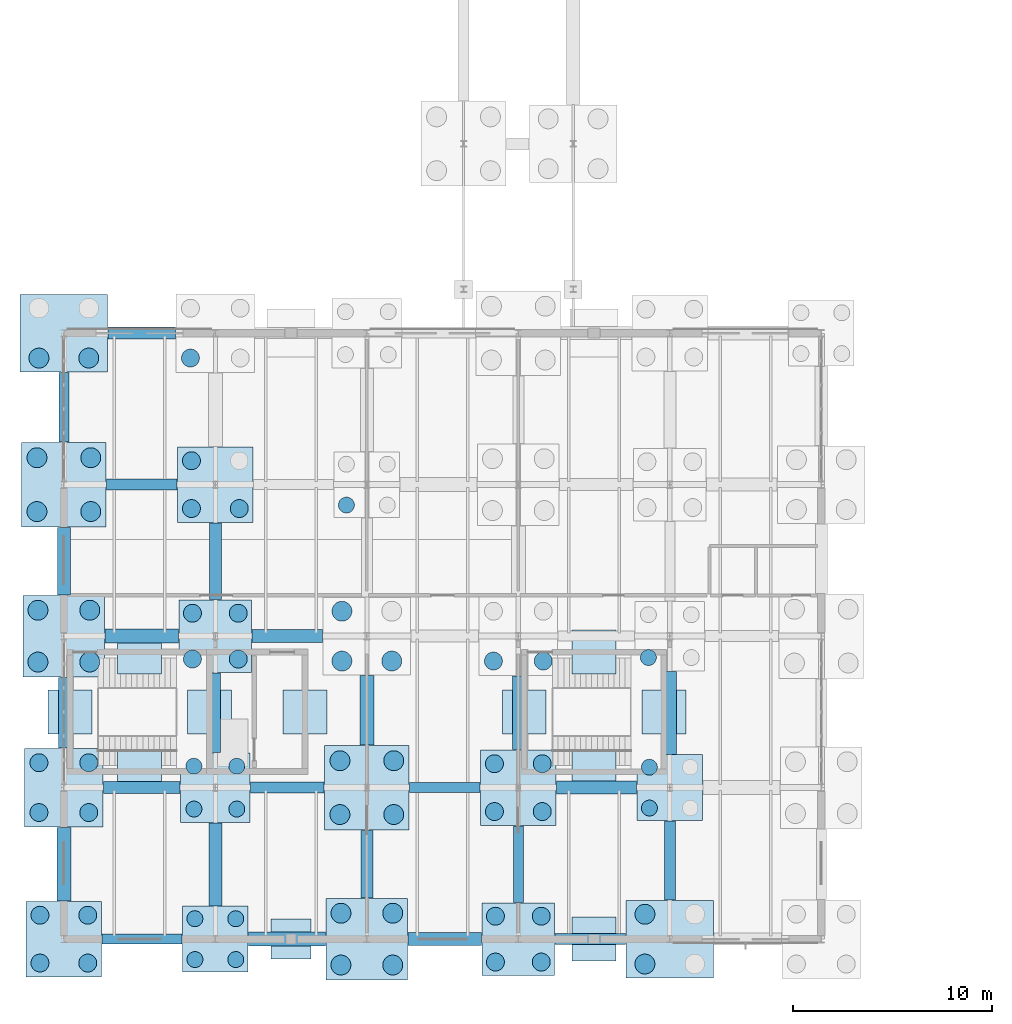
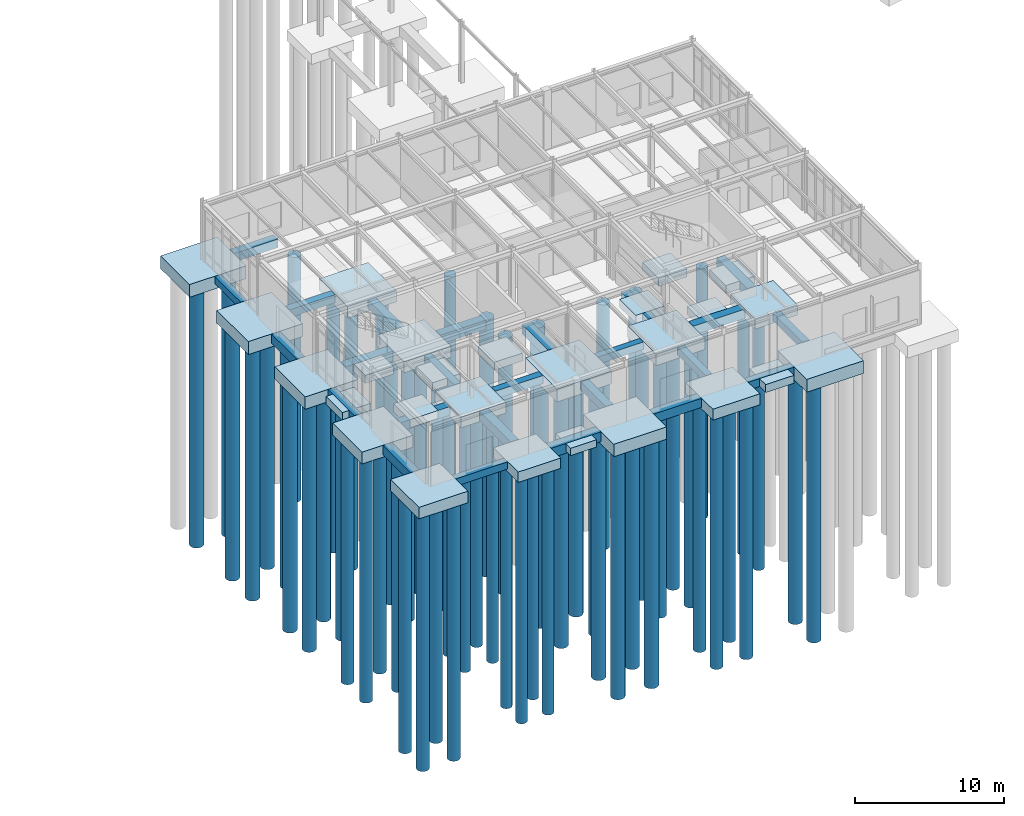
# One storey, part 1 of 109: 61 piles, 51 footings.
"""IFC4 building model written with IfcOpenShell, lengths in metres."""

from ifc_helpers import new_model, si_unit, direction, frame, origin, origin_2d, place, context, subcontext, project, spatial, rectangle, circle, extrude, material, material_profile, profile_set, type_object, element, save


model = new_model("IFC4")

# Units and contexts
model_context = context("Model", 3, precision=1e-05, world=origin(), true_north=direction((0.0, 1.0)))
body_context = subcontext(model_context, "Body", "Model", "MODEL_VIEW")
ifc_project = project(units=[si_unit("LENGTHUNIT", "METRE"), si_unit("AREAUNIT", "SQUARE_METRE"), si_unit("VOLUMEUNIT", "CUBIC_METRE"), si_unit("PLANEANGLEUNIT", "RADIAN"), si_unit("MASSUNIT", "GRAM", prefix="KILO")], contexts=[model_context])

# Site, building, storey
site_placement = place(None, origin())
site = spatial("IfcSite", under=ifc_project, at=site_placement, CompositionType="ELEMENT")
building_placement = place(site_placement, origin())
building = spatial("IfcBuilding", under=site, at=building_placement, Name="Montecoro Central Library", CompositionType="ELEMENT")
storey_placement = place(building_placement, origin())
storey = spatial("IfcBuildingStorey", under=building, at=storey_placement, Name="L00", CompositionType="ELEMENT", Elevation=0.0)

# Footings
ifc_material = material(Name="Concrete C35/45", Category="concrete")
footing_type_1 = type_object("IfcFootingType", Name="FT-PAD-200", PredefinedType="PAD_FOOTING", material=ifc_material)
footing_1_placement = place(storey_placement, frame((16.39990234375, 5.0, -0.60009765625), z_axis=(0.0, 0.0, 1.0), x_axis=(1.0, 0.0, 0.0)))
element("IfcFooting", 1, at=footing_1_placement, inside=storey, type_object=footing_type_1, Name="V3-PAD-PIL-S1", PredefinedType="PAD_FOOTING", context=body_context, shape_type="SweptSolid", body=[
    extrude(rectangle(XDim=2.0, YDim=2.0, at=origin_2d()), origin(), (0.0, 0.0, 1.0), 0.60009765625),
])
footing_type_2 = type_object("IfcFootingType", Name="FT-PAD-220", PredefinedType="PAD_FOOTING", material=ifc_material)
for number, where, z_axis, x_axis, name in (
    (2, (31.60009765625, 5.0, -0.64990234375), (0.0, 0.0, 1.0), (1.0, 0.0, 0.0), "V3-PAD-PIL-S3"),
    (3, (8.800048828125, 13.39990234375, -0.64990234375), (0.0, 0.0, 1.0), (1.0, 0.0, 0.0), "FT-WALL-C4-WS"),
    (4, (8.800048828125, 19.39990234375, -0.64990234375), (0.0, 0.0, 1.0), (1.0, 0.0, 0.0), "FT-WALL-C4-WN"),
    (5, (5.300048828125, 16.39990234375, -0.64990234375), (0.0, 0.0, 1.0), (1.0, 0.0, 0.0), "FT-WALL-C4-WW"),
    (6, (12.300048828125, 16.39990234375, -0.64990234375), (0.0, 0.0, 1.0), (1.0, 0.0, 0.0), "FT-WALL-C4-WE"),
    (7, (17.10009765625, 16.39990234375, -0.64990234375), (0.0, 0.0, 1.0), (1.0, 0.0, 0.0), "FT-WALL-C4-LWE"),
    (8, (31.60009765625, 13.39990234375, -0.64990234375), (0.0, 0.0, 1.0), (1.0, 0.0, 0.0), "FT-WALL-C11-WS"),
    (9, (31.60009765625, 19.39990234375, -0.64990234375), (0.0, 0.0, 1.0), (1.0, 0.0, 0.0), "FT-WALL-C11-WN"),
    (10, (28.10009765625, 16.39990234375, -0.64990234375), (0.0, 0.0, 1.0), (1.0, 0.0, 0.0), "FT-WALL-C11-WW"),
    (11, (35.10009765625, 16.39990234375, -0.64990234375), (0.0, 0.0, 1.0), (1.0, 0.0, 0.0), "FT-WALL-C11-WE"),
):
    element("IfcFooting", number, at=place(storey_placement, frame(where, z_axis=z_axis, x_axis=x_axis)), inside=storey, type_object=footing_type_2, Name=name, PredefinedType="PAD_FOOTING", context=body_context, shape_type="SweptSolid", body=[
        extrude(rectangle(XDim=2.199951171875, YDim=2.199951171875, at=origin_2d()), origin(), (0.0, 0.0, 1.0), 0.64990234375),
    ])
footing_type_3 = type_object("IfcFootingType", Name="FT-PC-330", PredefinedType="PILE_CAP", material=ifc_material)
for number, where, z_axis, x_axis, name in (
    (12, (12.60009765625, 5.0, -0.85009765625), (0.0, 0.0, 1.0), (1.0, 0.0, 0.0), "V3-CAP-2-A"),
    (13, (35.39990234375, 12.60009765625, -0.85009765625), (0.0, 0.0, 1.0), (1.0, 0.0, 0.0), "V3-CAP-5-B"),
):
    element("IfcFooting", number, at=place(storey_placement, frame(where, z_axis=z_axis, x_axis=x_axis)), inside=storey, type_object=footing_type_3, Name=name, PredefinedType="PILE_CAP", context=body_context, shape_type="SweptSolid", body=[
        extrude(rectangle(XDim=3.300048828125, YDim=3.300048828125, at=origin_2d()), origin(), (0.0, 0.0, 1.0), 0.85009765625),
    ])
footing_type_4 = type_object("IfcFootingType", Name="FT-PC-350", PredefinedType="PILE_CAP", material=ifc_material)
footing_2_placement = place(storey_placement, frame((12.60009765625, 12.60009765625, -0.8798828125), z_axis=(0.0, 0.0, 1.0), x_axis=(1.0, 0.0, 0.0)))
element("IfcFooting", 14, at=footing_2_placement, inside=storey, type_object=footing_type_4, Name="V3-CAP-2-B", PredefinedType="PILE_CAP", context=body_context, shape_type="SweptSolid", body=[
    extrude(rectangle(XDim=3.5, YDim=3.5, at=origin_2d()), origin(), (0.0, 0.0, 1.0), 0.8798828125),
])
footing_type_5 = type_object("IfcFootingType", Name="FT-PC-365", PredefinedType="PILE_CAP", material=ifc_material)
for number, where, z_axis, x_axis, name in (
    (15, (12.60009765625, 20.199951171875, -0.89990234375), (0.0, 0.0, 1.0), (1.0, 0.0, 0.0), "V3-CAP-2-C"),
    (16, (27.800048828125, 5.0, -0.89990234375), (0.0, 0.0, 1.0), (1.0, 0.0, 0.0), "V3-CAP-4-A"),
):
    element("IfcFooting", number, at=place(storey_placement, frame(where, z_axis=z_axis, x_axis=x_axis)), inside=storey, type_object=footing_type_5, Name=name, PredefinedType="PILE_CAP", context=body_context, shape_type="SweptSolid", body=[
        extrude(rectangle(XDim=3.64990234375, YDim=3.64990234375, at=origin_2d()), origin(), (0.0, 0.0, 1.0), 0.89990234375),
    ])
footing_type_6 = type_object("IfcFootingType", Name="FT-PC-380", PredefinedType="PILE_CAP", material=ifc_material)
for number, where, z_axis, x_axis, name in (
    (17, (5.0, 5.0, -0.9501953125), (0.0, 0.0, 1.0), (1.0, 0.0, 0.0), "V3-CAP-1-A"),
    (18, (12.60009765625, 27.800048828125, -0.9501953125), (0.0, 0.0, 1.0), (1.0, 0.0, 0.0), "V3-CAP-2-D"),
    (19, (27.800048828125, 12.60009765625, -0.9501953125), (0.0, 0.0, 1.0), (1.0, 0.0, 0.0), "V3-CAP-4-B"),
):
    element("IfcFooting", number, at=place(storey_placement, frame(where, z_axis=z_axis, x_axis=x_axis)), inside=storey, type_object=footing_type_6, Name=name, PredefinedType="PILE_CAP", context=body_context, shape_type="SweptSolid", body=[
        extrude(rectangle(XDim=3.800048828125, YDim=3.800048828125, at=origin_2d()), origin(), (0.0, 0.0, 1.0), 0.949951171875),
    ])
footing_type_7 = type_object("IfcFootingType", Name="FT-PC-395", PredefinedType="PILE_CAP", material=ifc_material)
footing_3_placement = place(storey_placement, frame((5.0, 12.60009765625, -0.97998046875), z_axis=(0.0, 0.0, 1.0), x_axis=(1.0, 0.0, 0.0)))
element("IfcFooting", 20, at=footing_3_placement, inside=storey, type_object=footing_type_7, Name="V3-CAP-1-B", PredefinedType="PILE_CAP", context=body_context, shape_type="SweptSolid", body=[
    extrude(rectangle(XDim=3.949951171875, YDim=3.949951171875, at=origin_2d()), origin(), (0.0, 0.0, 1.0), 0.97998046875),
])
footing_type_8 = type_object("IfcFootingType", Name="FT-PC-410", PredefinedType="PILE_CAP", material=ifc_material)
for number, where, z_axis, x_axis, name in (
    (21, (5.0, 20.199951171875, -1.02001953125), (0.0, 0.0, 1.0), (1.0, 0.0, 0.0), "V3-CAP-1-C"),
    (22, (20.199951171875, 5.0, -1.02001953125), (0.0, 0.0, 1.0), (1.0, 0.0, 0.0), "V3-CAP-3-A"),
):
    element("IfcFooting", number, at=place(storey_placement, frame(where, z_axis=z_axis, x_axis=x_axis)), inside=storey, type_object=footing_type_8, Name=name, PredefinedType="PILE_CAP", context=body_context, shape_type="SweptSolid", body=[
        extrude(rectangle(XDim=4.10009765625, YDim=4.10009765625, at=origin_2d()), origin(), (0.0, 0.0, 1.0), 1.02001953125),
    ])
footing_type_9 = type_object("IfcFootingType", Name="FT-PC-425", PredefinedType="PILE_CAP", material=ifc_material)
for number, where, z_axis, x_axis, name in (
    (23, (5.0, 27.800048828125, -1.06005859375), (0.0, 0.0, 1.0), (1.0, 0.0, 0.0), "V3-CAP-1-D"),
    (24, (20.199951171875, 12.60009765625, -1.06005859375), (0.0, 0.0, 1.0), (1.0, 0.0, 0.0), "V3-CAP-3-B"),
):
    element("IfcFooting", number, at=place(storey_placement, frame(where, z_axis=z_axis, x_axis=x_axis)), inside=storey, type_object=footing_type_9, Name=name, PredefinedType="PILE_CAP", context=body_context, shape_type="SweptSolid", body=[
        extrude(rectangle(XDim=4.25, YDim=4.25, at=origin_2d()), origin(), (0.0, 0.0, 1.0), 1.06005859375),
    ])
footing_type_10 = type_object("IfcFootingType", Name="FT-PC-440", PredefinedType="PILE_CAP", material=ifc_material)
for number, where, z_axis, x_axis, name in (
    (25, (5.0, 35.39990234375, -1.0498046875), (0.0, 0.0, 1.0), (1.0, 0.0, 0.0), "V3-CAP-1-E"),
    (26, (35.39990234375, 5.0, -1.0498046875), (0.0, 0.0, 1.0), (1.0, 0.0, 0.0), "V3-CAP-5-A"),
):
    element("IfcFooting", number, at=place(storey_placement, frame(where, z_axis=z_axis, x_axis=x_axis)), inside=storey, type_object=footing_type_10, Name=name, PredefinedType="PILE_CAP", context=body_context, shape_type="SweptSolid", body=[
        extrude(rectangle(XDim=4.39990234375, YDim=3.89990234375, at=origin_2d()), origin(), (0.0, 0.0, 1.0), 1.050048828125),
    ])
footing_type_11 = type_object("IfcFootingType", Name="FT-TB-01", PredefinedType="FOOTING_BEAM", material=ifc_material)
footing_4_placement = place(storey_placement, frame((8.925048828125, 5.0, -0.60009765625), z_axis=(0.0, 0.0, 1.0), x_axis=(1.0, 0.0, 0.0)))
element("IfcFooting", 27, at=footing_4_placement, inside=storey, type_object=footing_type_11, Name="FT-TBX-230", PredefinedType="FOOTING_BEAM", context=body_context, shape_type="SweptSolid", body=[
    extrude(rectangle(XDim=4.010009765625, YDim=0.5, at=origin_2d()), origin(), (0.0, 0.0, 1.0), 0.60009765625),
])
footing_5_placement = place(storey_placement, frame((5.0, 31.68798828125, -0.60009765625), z_axis=(0.0, 0.0, 1.0), x_axis=(1.0, 0.0, 0.0)))
element("IfcFooting", 28, at=footing_5_placement, inside=storey, type_object=footing_type_11, Name="FT-TBY-235", PredefinedType="FOOTING_BEAM", context=body_context, shape_type="SweptSolid", body=[
    extrude(rectangle(XDim=0.5, YDim=3.485107421875, at=origin_2d()), origin(), (0.0, 0.0, 1.0), 0.60009765625),
])
footing_6_placement = place(storey_placement, frame((12.60009765625, 16.363037109375, -0.60009765625), z_axis=(0.0, 0.0, 1.0), x_axis=(1.0, 0.0, 0.0)))
element("IfcFooting", 29, at=footing_6_placement, inside=storey, type_object=footing_type_11, Name="FT-TBY-240", PredefinedType="FOOTING_BEAM", context=body_context, shape_type="SweptSolid", body=[
    extrude(rectangle(XDim=0.5, YDim=3.985107421875, at=origin_2d()), origin(), (0.0, 0.0, 1.0), 0.60009765625),
])
footing_7_placement = place(storey_placement, frame((24.112060546875, 12.60009765625, -0.60009765625), z_axis=(0.0, 0.0, 1.0), x_axis=(1.0, 0.0, 0.0)))
element("IfcFooting", 30, at=footing_7_placement, inside=storey, type_object=footing_type_11, Name="FT-TBX-250", PredefinedType="FOOTING_BEAM", context=body_context, shape_type="SweptSolid", body=[
    extrude(rectangle(XDim=3.534912109375, YDim=0.5, at=origin_2d()), origin(), (0.0, 0.0, 1.0), 0.60009765625),
])
footing_8_placement = place(storey_placement, frame((27.800048828125, 8.761962890625, -0.60009765625), z_axis=(0.0, 0.0, 1.0), x_axis=(1.0, 0.0, 0.0)))
element("IfcFooting", 31, at=footing_8_placement, inside=storey, type_object=footing_type_11, Name="FT-TBY-260", PredefinedType="FOOTING_BEAM", context=body_context, shape_type="SweptSolid", body=[
    extrude(rectangle(XDim=0.5, YDim=3.8349609375, at=origin_2d()), origin(), (0.0, 0.0, 1.0), 0.60009765625),
])
footing_type_12 = type_object("IfcFootingType", Name="FT-TB-02", PredefinedType="FOOTING_BEAM", material=ifc_material)
footing_9_placement = place(storey_placement, frame((5.0, 16.363037109375, -0.64990234375), z_axis=(0.0, 0.0, 1.0), x_axis=(1.0, 0.0, 0.0)))
element("IfcFooting", 32, at=footing_9_placement, inside=storey, type_object=footing_type_12, Name="FT-TBY-231", PredefinedType="FOOTING_BEAM", context=body_context, shape_type="SweptSolid", body=[
    extrude(rectangle(XDim=0.550048828125, YDim=3.534912109375, at=origin_2d()), origin(), (0.0, 0.0, 1.0), 0.64990234375),
])
footing_10_placement = place(storey_placement, frame((8.912109375, 27.800048828125, -0.64990234375), z_axis=(0.0, 0.0, 1.0), x_axis=(1.0, 0.0, 0.0)))
element("IfcFooting", 33, at=footing_10_placement, inside=storey, type_object=footing_type_12, Name="FT-TBX-236", PredefinedType="FOOTING_BEAM", context=body_context, shape_type="SweptSolid", body=[
    extrude(rectangle(XDim=3.534912109375, YDim=0.550048828125, at=origin_2d()), origin(), (0.0, 0.0, 1.0), 0.64990234375),
])
footing_11_placement = place(storey_placement, frame((16.2119140625, 12.60009765625, -0.64990234375), z_axis=(0.0, 0.0, 1.0), x_axis=(1.0, 0.0, 0.0)))
element("IfcFooting", 34, at=footing_11_placement, inside=storey, type_object=footing_type_12, Name="FT-TBX-241", PredefinedType="FOOTING_BEAM", context=body_context, shape_type="SweptSolid", body=[
    extrude(rectangle(XDim=3.68505859375, YDim=0.550048828125, at=origin_2d()), origin(), (0.0, 0.0, 1.0), 0.64990234375),
])
footing_12_placement = place(storey_placement, frame((31.4130859375, 5.0, -0.64990234375), z_axis=(0.0, 0.0, 1.0), x_axis=(1.0, 0.0, 0.0)))
element("IfcFooting", 35, at=footing_12_placement, inside=storey, type_object=footing_type_12, Name="FT-TBX-261", PredefinedType="FOOTING_BEAM", context=body_context, shape_type="SweptSolid", body=[
    extrude(rectangle(XDim=3.534912109375, YDim=0.550048828125, at=origin_2d()), origin(), (0.0, 0.0, 1.0), 0.64990234375),
])
footing_13_placement = place(storey_placement, frame((35.39990234375, 8.949951171875, -0.64990234375), z_axis=(0.0, 0.0, 1.0), x_axis=(1.0, 0.0, 0.0)))
element("IfcFooting", 36, at=footing_13_placement, inside=storey, type_object=footing_type_12, Name="FT-TBY-271", PredefinedType="FOOTING_BEAM", context=body_context, shape_type="SweptSolid", body=[
    extrude(rectangle(XDim=0.550048828125, YDim=3.9599609375, at=origin_2d()), origin(), (0.0, 0.0, 1.0), 0.64990234375),
])
footing_type_13 = type_object("IfcFootingType", Name="FT-TB-03", PredefinedType="FOOTING_BEAM", material=ifc_material)
footing_14_placement = place(storey_placement, frame((8.912109375, 12.60009765625, -0.7001953125), z_axis=(0.0, 0.0, 1.0), x_axis=(1.0, 0.0, 0.0)))
element("IfcFooting", 37, at=footing_14_placement, inside=storey, type_object=footing_type_13, Name="FT-TBX-232", PredefinedType="FOOTING_BEAM", context=body_context, shape_type="SweptSolid", body=[
    extrude(rectangle(XDim=3.8349609375, YDim=0.60009765625, at=origin_2d()), origin(), (0.0, 0.0, 1.0), 0.699951171875),
])
footing_15_placement = place(storey_placement, frame((8.912109375, 35.39990234375, -0.7001953125), z_axis=(0.0, 0.0, 1.0), x_axis=(1.0, 0.0, 0.0)))
element("IfcFooting", 38, at=footing_15_placement, inside=storey, type_object=footing_type_13, Name="FT-TBX-237", PredefinedType="FOOTING_BEAM", context=body_context, shape_type="SweptSolid", body=[
    extrude(rectangle(XDim=3.385009765625, YDim=0.60009765625, at=origin_2d()), origin(), (0.0, 0.0, 1.0), 0.699951171875),
])
footing_16_placement = place(storey_placement, frame((12.60009765625, 23.9619140625, -0.7001953125), z_axis=(0.0, 0.0, 1.0), x_axis=(1.0, 0.0, 0.0)))
element("IfcFooting", 39, at=footing_16_placement, inside=storey, type_object=footing_type_13, Name="FT-TBY-242", PredefinedType="FOOTING_BEAM", context=body_context, shape_type="SweptSolid", body=[
    extrude(rectangle(XDim=0.60009765625, YDim=3.8349609375, at=origin_2d()), origin(), (0.0, 0.0, 1.0), 0.699951171875),
])
footing_17_placement = place(storey_placement, frame((20.199951171875, 8.761962890625, -0.7001953125), z_axis=(0.0, 0.0, 1.0), x_axis=(1.0, 0.0, 0.0)))
element("IfcFooting", 40, at=footing_17_placement, inside=storey, type_object=footing_type_13, Name="FT-TBY-247", PredefinedType="FOOTING_BEAM", context=body_context, shape_type="SweptSolid", body=[
    extrude(rectangle(XDim=0.60009765625, YDim=3.385009765625, at=origin_2d()), origin(), (0.0, 0.0, 1.0), 0.699951171875),
])
footing_18_placement = place(storey_placement, frame((27.800048828125, 16.362060546875, -0.7001953125), z_axis=(0.0, 0.0, 1.0), x_axis=(1.0, 0.0, 0.0)))
element("IfcFooting", 41, at=footing_18_placement, inside=storey, type_object=footing_type_13, Name="FT-TBY-262", PredefinedType="FOOTING_BEAM", context=body_context, shape_type="SweptSolid", body=[
    extrude(rectangle(XDim=0.60009765625, YDim=3.68505859375, at=origin_2d()), origin(), (0.0, 0.0, 1.0), 0.699951171875),
])
footing_type_14 = type_object("IfcFootingType", Name="FT-TB-04", PredefinedType="FOOTING_BEAM", material=ifc_material)
footing_19_placement = place(storey_placement, frame((5.0, 23.9619140625, -0.75), z_axis=(0.0, 0.0, 1.0), x_axis=(1.0, 0.0, 0.0)))
element("IfcFooting", 42, at=footing_19_placement, inside=storey, type_object=footing_type_14, Name="FT-TBY-233", PredefinedType="FOOTING_BEAM", context=body_context, shape_type="SweptSolid", body=[
    extrude(rectangle(XDim=0.64990234375, YDim=3.385009765625, at=origin_2d()), origin(), (0.0, 0.0, 1.0), 0.75),
])
footing_20_placement = place(storey_placement, frame((12.60009765625, 8.75, -0.75), z_axis=(0.0, 0.0, 1.0), x_axis=(1.0, 0.0, 0.0)))
element("IfcFooting", 43, at=footing_20_placement, inside=storey, type_object=footing_type_14, Name="FT-TBY-238", PredefinedType="FOOTING_BEAM", context=body_context, shape_type="SweptSolid", body=[
    extrude(rectangle(XDim=0.64990234375, YDim=4.159912109375, at=origin_2d()), origin(), (0.0, 0.0, 1.0), 0.75),
])
footing_21_placement = place(storey_placement, frame((16.2119140625, 20.199951171875, -0.75), z_axis=(0.0, 0.0, 1.0), x_axis=(1.0, 0.0, 0.0)))
element("IfcFooting", 44, at=footing_21_placement, inside=storey, type_object=footing_type_14, Name="FT-TBX-243", PredefinedType="FOOTING_BEAM", context=body_context, shape_type="SweptSolid", body=[
    extrude(rectangle(XDim=3.534912109375, YDim=0.64990234375, at=origin_2d()), origin(), (0.0, 0.0, 1.0), 0.75),
])
footing_22_placement = place(storey_placement, frame((24.112060546875, 5.0, -0.75), z_axis=(0.0, 0.0, 1.0), x_axis=(1.0, 0.0, 0.0)))
element("IfcFooting", 45, at=footing_22_placement, inside=storey, type_object=footing_type_14, Name="FT-TBX-248", PredefinedType="FOOTING_BEAM", context=body_context, shape_type="SweptSolid", body=[
    extrude(rectangle(XDim=3.68505859375, YDim=0.64990234375, at=origin_2d()), origin(), (0.0, 0.0, 1.0), 0.75),
])
footing_23_placement = place(storey_placement, frame((31.72509765625, 12.60009765625, -0.75), z_axis=(0.0, 0.0, 1.0), x_axis=(1.0, 0.0, 0.0)))
element("IfcFooting", 46, at=footing_23_placement, inside=storey, type_object=footing_type_14, Name="FT-TBX-263", PredefinedType="FOOTING_BEAM", context=body_context, shape_type="SweptSolid", body=[
    extrude(rectangle(XDim=4.010009765625, YDim=0.64990234375, at=origin_2d()), origin(), (0.0, 0.0, 1.0), 0.75),
])
footing_24_placement = place(storey_placement, frame((35.39990234375, 16.35009765625, -0.75), z_axis=(0.0, 0.0, 1.0), x_axis=(1.0, 0.0, 0.0)))
element("IfcFooting", 47, at=footing_24_placement, inside=storey, type_object=footing_type_14, Name="FT-TBY-273", PredefinedType="FOOTING_BEAM", context=body_context, shape_type="SweptSolid", body=[
    extrude(rectangle(XDim=0.64990234375, YDim=4.159912109375, at=origin_2d()), origin(), (0.0, 0.0, 1.0), 0.75),
])
footing_type_15 = type_object("IfcFootingType", Name="FT-TB-05", PredefinedType="FOOTING_BEAM", material=ifc_material)
footing_25_placement = place(storey_placement, frame((5.0, 8.761962890625, -0.7998046875), z_axis=(0.0, 0.0, 1.0), x_axis=(1.0, 0.0, 0.0)))
element("IfcFooting", 48, at=footing_25_placement, inside=storey, type_object=footing_type_15, Name="FT-TBY-229", PredefinedType="FOOTING_BEAM", context=body_context, shape_type="SweptSolid", body=[
    extrude(rectangle(XDim=0.699951171875, YDim=3.68505859375, at=origin_2d()), origin(), (0.0, 0.0, 1.0), 0.800048828125),
])
footing_26_placement = place(storey_placement, frame((8.9130859375, 20.199951171875, -0.7998046875), z_axis=(0.0, 0.0, 1.0), x_axis=(1.0, 0.0, 0.0)))
element("IfcFooting", 49, at=footing_26_placement, inside=storey, type_object=footing_type_15, Name="FT-TBX-234", PredefinedType="FOOTING_BEAM", context=body_context, shape_type="SweptSolid", body=[
    extrude(rectangle(XDim=3.68505859375, YDim=0.699951171875, at=origin_2d()), origin(), (0.0, 0.0, 1.0), 0.800048828125),
])
footing_27_placement = place(storey_placement, frame((16.199951171875, 5.0, -0.7998046875), z_axis=(0.0, 0.0, 1.0), x_axis=(1.0, 0.0, 0.0)))
element("IfcFooting", 50, at=footing_27_placement, inside=storey, type_object=footing_type_15, Name="FT-TBX-239", PredefinedType="FOOTING_BEAM", context=body_context, shape_type="SweptSolid", body=[
    extrude(rectangle(XDim=3.860107421875, YDim=0.699951171875, at=origin_2d()), origin(), (0.0, 0.0, 1.0), 0.800048828125),
])
footing_28_placement = place(storey_placement, frame((20.199951171875, 16.488037109375, -0.7998046875), z_axis=(0.0, 0.0, 1.0), x_axis=(1.0, 0.0, 0.0)))
element("IfcFooting", 51, at=footing_28_placement, inside=storey, type_object=footing_type_15, Name="FT-TBY-249", PredefinedType="FOOTING_BEAM", context=body_context, shape_type="SweptSolid", body=[
    extrude(rectangle(XDim=0.699951171875, YDim=3.485107421875, at=origin_2d()), origin(), (0.0, 0.0, 1.0), 0.800048828125),
])

# Piles
ifc_material_profile_1 = material_profile(ifc_material, circle(Radius=0.5, at=origin_2d()), Name="PILE D1000")
ifc_profile_set_1 = profile_set([ifc_material_profile_1], Name="Concrete C35/45")
pile_type_1 = type_object("IfcPileType", Name="PL-BORED-1000", PredefinedType="BORED", material=ifc_profile_set_1)
for number, where, z_axis, x_axis, name in (
    (52, (3.699951171875, 18.89990234375, -0.919921875), (0.0, 0.0, -1.0), (1.0, 0.0, 0.0), "V3-CAP-1-C-P1"),
    (53, (3.699951171875, 21.5, -0.919921875), (0.0, 0.0, -1.0), (1.0, 0.0, 0.0), "V3-CAP-1-C-P2"),
    (54, (6.300048828125, 18.89990234375, -0.919921875), (0.0, 0.0, -1.0), (1.0, 0.0, 0.0), "V3-CAP-1-C-P3"),
    (55, (6.300048828125, 21.5, -0.919921875), (0.0, 0.0, -1.0), (1.0, 0.0, 0.0), "V3-CAP-1-C-P4"),
):
    element("IfcPile", number, at=place(storey_placement, frame(where, z_axis=z_axis, x_axis=x_axis)), inside=storey, type_object=pile_type_1, Name=name, PredefinedType="BORED", context=body_context, shape_type="SweptSolid", body=[
        extrude(circle(Radius=0.5, at=origin_2d()), origin(), (0.0, 0.0, 1.0), 20.429931640625),
    ])
for number, where, z_axis, x_axis, name in (
    (56, (3.64990234375, 26.449951171875, -0.9599609375), (0.0, 0.0, -1.0), (1.0, 0.0, 0.0), "V3-CAP-1-D-P1"),
    (57, (3.64990234375, 29.14990234375, -0.9599609375), (0.0, 0.0, -1.0), (1.0, 0.0, 0.0), "V3-CAP-1-D-P2"),
    (58, (6.35009765625, 26.449951171875, -0.9599609375), (0.0, 0.0, -1.0), (1.0, 0.0, 0.0), "V3-CAP-1-D-P3"),
    (59, (6.35009765625, 29.14990234375, -0.9599609375), (0.0, 0.0, -1.0), (1.0, 0.0, 0.0), "V3-CAP-1-D-P4"),
):
    element("IfcPile", number, at=place(storey_placement, frame(where, z_axis=z_axis, x_axis=x_axis)), inside=storey, type_object=pile_type_1, Name=name, PredefinedType="BORED", context=body_context, shape_type="SweptSolid", body=[
        extrude(circle(Radius=0.5, at=origin_2d()), origin(), (0.0, 0.0, 1.0), 20.739990234375),
    ])
for number, where, z_axis, x_axis, name in (
    (60, (3.75, 34.14990234375, -0.949951171875), (0.0, 0.0, -1.0), (1.0, 0.0, 0.0), "V3-CAP-1-E-P1"),
    (61, (6.25, 34.14990234375, -0.949951171875), (0.0, 0.0, -1.0), (1.0, 0.0, 0.0), "V3-CAP-1-E-P3"),
):
    element("IfcPile", number, at=place(storey_placement, frame(where, z_axis=z_axis, x_axis=x_axis)), inside=storey, type_object=pile_type_1, Name=name, PredefinedType="BORED", context=body_context, shape_type="SweptSolid", body=[
        extrude(circle(Radius=0.5, at=origin_2d()), origin(), (0.0, 0.0, 1.0), 21.10009765625),
    ])
for number, where, z_axis, x_axis, name in (
    (62, (18.89990234375, 3.699951171875, -0.919921875), (0.0, 0.0, -1.0), (1.0, 0.0, 0.0), "V3-CAP-3-A-P1"),
    (63, (18.89990234375, 6.300048828125, -0.919921875), (0.0, 0.0, -1.0), (1.0, 0.0, 0.0), "V3-CAP-3-A-P2"),
    (64, (21.5, 3.699951171875, -0.919921875), (0.0, 0.0, -1.0), (1.0, 0.0, 0.0), "V3-CAP-3-A-P3"),
    (65, (21.5, 6.300048828125, -0.919921875), (0.0, 0.0, -1.0), (1.0, 0.0, 0.0), "V3-CAP-3-A-P4"),
):
    element("IfcPile", number, at=place(storey_placement, frame(where, z_axis=z_axis, x_axis=x_axis)), inside=storey, type_object=pile_type_1, Name=name, PredefinedType="BORED", context=body_context, shape_type="SweptSolid", body=[
        extrude(circle(Radius=0.5, at=origin_2d()), origin(), (0.0, 0.0, 1.0), 20.429931640625),
    ])
for number, where, z_axis, x_axis, name in (
    (66, (18.85009765625, 11.25, -0.9599609375), (0.0, 0.0, -1.0), (1.0, 0.0, 0.0), "V3-CAP-3-B-P1"),
    (67, (18.85009765625, 13.949951171875, -0.9599609375), (0.0, 0.0, -1.0), (1.0, 0.0, 0.0), "V3-CAP-3-B-P2"),
    (68, (21.550048828125, 11.25, -0.9599609375), (0.0, 0.0, -1.0), (1.0, 0.0, 0.0), "V3-CAP-3-B-P3"),
    (69, (21.550048828125, 13.949951171875, -0.9599609375), (0.0, 0.0, -1.0), (1.0, 0.0, 0.0), "V3-CAP-3-B-P4"),
):
    element("IfcPile", number, at=place(storey_placement, frame(where, z_axis=z_axis, x_axis=x_axis)), inside=storey, type_object=pile_type_1, Name=name, PredefinedType="BORED", context=body_context, shape_type="SweptSolid", body=[
        extrude(circle(Radius=0.5, at=origin_2d()), origin(), (0.0, 0.0, 1.0), 20.739990234375),
    ])
for number, where, z_axis, x_axis, name in (
    (70, (18.949951171875, 18.949951171875, -0.949951171875), (0.0, 0.0, -1.0), (1.0, 0.0, 0.0), "V3-CAP-3-C-P1"),
    (71, (18.949951171875, 21.449951171875, -0.949951171875), (0.0, 0.0, -1.0), (1.0, 0.0, 0.0), "V3-CAP-3-C-P2"),
    (72, (21.449951171875, 18.949951171875, -0.949951171875), (0.0, 0.0, -1.0), (1.0, 0.0, 0.0), "V3-CAP-3-C-P3"),
    (73, (34.14990234375, 3.75, -0.949951171875), (0.0, 0.0, -1.0), (1.0, 0.0, 0.0), "V3-CAP-5-A-P1"),
    (74, (34.14990234375, 6.25, -0.949951171875), (0.0, 0.0, -1.0), (1.0, 0.0, 0.0), "V3-CAP-5-A-P2"),
):
    element("IfcPile", number, at=place(storey_placement, frame(where, z_axis=z_axis, x_axis=x_axis)), inside=storey, type_object=pile_type_1, Name=name, PredefinedType="BORED", context=body_context, shape_type="SweptSolid", body=[
        extrude(circle(Radius=0.5, at=origin_2d()), origin(), (0.0, 0.0, 1.0), 21.10009765625),
    ])
ifc_material_profile_2 = material_profile(ifc_material, circle(Radius=0.39990234375, at=origin_2d()), Name="PILE D800")
ifc_profile_set_2 = profile_set([ifc_material_profile_2], Name="Concrete C35/45")
pile_type_2 = type_object("IfcPileType", Name="PL-BORED-800", PredefinedType="BORED", material=ifc_profile_set_2)
for number, where, z_axis, x_axis, name in (
    (75, (11.574951171875, 3.97509765625, -0.75), (0.0, 0.0, -1.0), (1.0, 0.0, 0.0), "V3-CAP-2-A-P1"),
    (76, (11.574951171875, 6.02490234375, -0.75), (0.0, 0.0, -1.0), (1.0, 0.0, 0.0), "V3-CAP-2-A-P2"),
    (77, (13.625, 3.97509765625, -0.75), (0.0, 0.0, -1.0), (1.0, 0.0, 0.0), "V3-CAP-2-A-P3"),
    (78, (13.625, 6.02490234375, -0.75), (0.0, 0.0, -1.0), (1.0, 0.0, 0.0), "V3-CAP-2-A-P4"),
):
    element("IfcPile", number, at=place(storey_placement, frame(where, z_axis=z_axis, x_axis=x_axis)), inside=storey, type_object=pile_type_2, Name=name, PredefinedType="BORED", context=body_context, shape_type="SweptSolid", body=[
        extrude(circle(Radius=0.39990234375, at=origin_2d()), origin(), (0.0, 0.0, 1.0), 20.25),
    ])
for number, where, z_axis, x_axis, name in (
    (79, (11.52490234375, 11.52490234375, -0.780029296875), (0.0, 0.0, -1.0), (1.0, 0.0, 0.0), "V3-CAP-2-B-P1"),
    (80, (11.52490234375, 13.675048828125, -0.780029296875), (0.0, 0.0, -1.0), (1.0, 0.0, 0.0), "V3-CAP-2-B-P2"),
    (81, (13.675048828125, 11.52490234375, -0.780029296875), (0.0, 0.0, -1.0), (1.0, 0.0, 0.0), "V3-CAP-2-B-P3"),
    (82, (13.675048828125, 13.675048828125, -0.780029296875), (0.0, 0.0, -1.0), (1.0, 0.0, 0.0), "V3-CAP-2-B-P4"),
):
    element("IfcPile", number, at=place(storey_placement, frame(where, z_axis=z_axis, x_axis=x_axis)), inside=storey, type_object=pile_type_2, Name=name, PredefinedType="BORED", context=body_context, shape_type="SweptSolid", body=[
        extrude(circle(Radius=0.39990234375, at=origin_2d()), origin(), (0.0, 0.0, 1.0), 20.570068359375),
    ])
for number, where, z_axis, x_axis, name in (
    (83, (19.175048828125, 26.77490234375, -0.75), (0.0, 0.0, -1.0), (1.0, 0.0, 0.0), "V3-CAP-3-D-P1"),
    (84, (34.375, 11.574951171875, -0.75), (0.0, 0.0, -1.0), (1.0, 0.0, 0.0), "V3-CAP-5-B-P1"),
    (85, (34.375, 13.625, -0.75), (0.0, 0.0, -1.0), (1.0, 0.0, 0.0), "V3-CAP-5-B-P2"),
):
    element("IfcPile", number, at=place(storey_placement, frame(where, z_axis=z_axis, x_axis=x_axis)), inside=storey, type_object=pile_type_2, Name=name, PredefinedType="BORED", context=body_context, shape_type="SweptSolid", body=[
        extrude(circle(Radius=0.39990234375, at=origin_2d()), origin(), (0.0, 0.0, 1.0), 20.25),
    ])
pile_1_placement = place(storey_placement, frame((34.324951171875, 19.125, -0.780029296875), z_axis=(0.0, 0.0, -1.0), x_axis=(1.0, 0.0, 0.0)))
element("IfcPile", 86, at=pile_1_placement, inside=storey, type_object=pile_type_2, Name="V3-CAP-5-C-P1", PredefinedType="BORED", context=body_context, shape_type="SweptSolid", body=[
    extrude(circle(Radius=0.39990234375, at=origin_2d()), origin(), (0.0, 0.0, 1.0), 20.570068359375),
])
ifc_material_profile_3 = material_profile(ifc_material, circle(Radius=0.449951171875, at=origin_2d()), Name="PILE D900")
ifc_profile_set_3 = profile_set([ifc_material_profile_3], Name="Concrete C35/45")
pile_type_3 = type_object("IfcPileType", Name="PL-BORED-900", PredefinedType="BORED", material=ifc_profile_set_3)
for number, where, z_axis, x_axis, name in (
    (87, (3.800048828125, 3.800048828125, -0.85009765625), (0.0, 0.0, -1.0), (1.0, 0.0, 0.0), "V3-CAP-1-A-P1"),
    (88, (3.800048828125, 6.199951171875, -0.85009765625), (0.0, 0.0, -1.0), (1.0, 0.0, 0.0), "V3-CAP-1-A-P2"),
    (89, (6.199951171875, 3.800048828125, -0.85009765625), (0.0, 0.0, -1.0), (1.0, 0.0, 0.0), "V3-CAP-1-A-P3"),
    (90, (6.199951171875, 6.199951171875, -0.85009765625), (0.0, 0.0, -1.0), (1.0, 0.0, 0.0), "V3-CAP-1-A-P4"),
):
    element("IfcPile", number, at=place(storey_placement, frame(where, z_axis=z_axis, x_axis=x_axis)), inside=storey, type_object=pile_type_3, Name=name, PredefinedType="BORED", context=body_context, shape_type="SweptSolid", body=[
        extrude(circle(Radius=0.449951171875, at=origin_2d()), origin(), (0.0, 0.0, 1.0), 21.199951171875),
    ])
for number, where, z_axis, x_axis, name in (
    (91, (3.75, 11.35009765625, -0.8798828125), (0.0, 0.0, -1.0), (1.0, 0.0, 0.0), "V3-CAP-1-B-P1"),
    (92, (3.75, 13.85009765625, -0.8798828125), (0.0, 0.0, -1.0), (1.0, 0.0, 0.0), "V3-CAP-1-B-P2"),
    (93, (6.25, 11.35009765625, -0.8798828125), (0.0, 0.0, -1.0), (1.0, 0.0, 0.0), "V3-CAP-1-B-P3"),
    (94, (6.25, 13.85009765625, -0.8798828125), (0.0, 0.0, -1.0), (1.0, 0.0, 0.0), "V3-CAP-1-B-P4"),
):
    element("IfcPile", number, at=place(storey_placement, frame(where, z_axis=z_axis, x_axis=x_axis)), inside=storey, type_object=pile_type_3, Name=name, PredefinedType="BORED", context=body_context, shape_type="SweptSolid", body=[
        extrude(circle(Radius=0.449951171875, at=origin_2d()), origin(), (0.0, 0.0, 1.0), 20.1201171875),
    ])
for number, where, z_axis, x_axis, name in (
    (95, (11.449951171875, 19.050048828125, -0.800048828125), (0.0, 0.0, -1.0), (1.0, 0.0, 0.0), "V3-CAP-2-C-P1"),
    (96, (11.449951171875, 21.35009765625, -0.800048828125), (0.0, 0.0, -1.0), (1.0, 0.0, 0.0), "V3-CAP-2-C-P2"),
    (97, (13.75, 19.050048828125, -0.800048828125), (0.0, 0.0, -1.0), (1.0, 0.0, 0.0), "V3-CAP-2-C-P3"),
    (98, (13.75, 21.35009765625, -0.800048828125), (0.0, 0.0, -1.0), (1.0, 0.0, 0.0), "V3-CAP-2-C-P4"),
):
    element("IfcPile", number, at=place(storey_placement, frame(where, z_axis=z_axis, x_axis=x_axis)), inside=storey, type_object=pile_type_3, Name=name, PredefinedType="BORED", context=body_context, shape_type="SweptSolid", body=[
        extrude(circle(Radius=0.449951171875, at=origin_2d()), origin(), (0.0, 0.0, 1.0), 20.89990234375),
    ])
for number, where, z_axis, x_axis, name in (
    (99, (11.39990234375, 26.60009765625, -0.85009765625), (0.0, 0.0, -1.0), (1.0, 0.0, 0.0), "V3-CAP-2-D-P1"),
    (100, (11.39990234375, 29.0, -0.85009765625), (0.0, 0.0, -1.0), (1.0, 0.0, 0.0), "V3-CAP-2-D-P2"),
    (101, (13.800048828125, 26.60009765625, -0.85009765625), (0.0, 0.0, -1.0), (1.0, 0.0, 0.0), "V3-CAP-2-D-P3"),
):
    element("IfcPile", number, at=place(storey_placement, frame(where, z_axis=z_axis, x_axis=x_axis)), inside=storey, type_object=pile_type_3, Name=name, PredefinedType="BORED", context=body_context, shape_type="SweptSolid", body=[
        extrude(circle(Radius=0.449951171875, at=origin_2d()), origin(), (0.0, 0.0, 1.0), 21.199951171875),
    ])
pile_2_placement = place(storey_placement, frame((11.35009765625, 34.14990234375, -0.8798828125), z_axis=(0.0, 0.0, -1.0), x_axis=(1.0, 0.0, 0.0)))
element("IfcPile", 102, at=pile_2_placement, inside=storey, type_object=pile_type_3, Name="V3-CAP-2-E-P1", PredefinedType="BORED", context=body_context, shape_type="SweptSolid", body=[
    extrude(circle(Radius=0.449951171875, at=origin_2d()), origin(), (0.0, 0.0, 1.0), 20.1201171875),
])
for number, where, z_axis, x_axis, name in (
    (103, (26.64990234375, 3.85009765625, -0.800048828125), (0.0, 0.0, -1.0), (1.0, 0.0, 0.0), "V3-CAP-4-A-P1"),
    (104, (26.64990234375, 6.14990234375, -0.800048828125), (0.0, 0.0, -1.0), (1.0, 0.0, 0.0), "V3-CAP-4-A-P2"),
    (105, (28.949951171875, 3.85009765625, -0.800048828125), (0.0, 0.0, -1.0), (1.0, 0.0, 0.0), "V3-CAP-4-A-P3"),
    (106, (28.949951171875, 6.14990234375, -0.800048828125), (0.0, 0.0, -1.0), (1.0, 0.0, 0.0), "V3-CAP-4-A-P4"),
):
    element("IfcPile", number, at=place(storey_placement, frame(where, z_axis=z_axis, x_axis=x_axis)), inside=storey, type_object=pile_type_3, Name=name, PredefinedType="BORED", context=body_context, shape_type="SweptSolid", body=[
        extrude(circle(Radius=0.449951171875, at=origin_2d()), origin(), (0.0, 0.0, 1.0), 20.89990234375),
    ])
for number, where, z_axis, x_axis, name in (
    (107, (26.60009765625, 11.39990234375, -0.85009765625), (0.0, 0.0, -1.0), (1.0, 0.0, 0.0), "V3-CAP-4-B-P1"),
    (108, (26.60009765625, 13.800048828125, -0.85009765625), (0.0, 0.0, -1.0), (1.0, 0.0, 0.0), "V3-CAP-4-B-P2"),
    (109, (29.0, 11.39990234375, -0.85009765625), (0.0, 0.0, -1.0), (1.0, 0.0, 0.0), "V3-CAP-4-B-P3"),
    (110, (29.0, 13.800048828125, -0.85009765625), (0.0, 0.0, -1.0), (1.0, 0.0, 0.0), "V3-CAP-4-B-P4"),
):
    element("IfcPile", number, at=place(storey_placement, frame(where, z_axis=z_axis, x_axis=x_axis)), inside=storey, type_object=pile_type_3, Name=name, PredefinedType="BORED", context=body_context, shape_type="SweptSolid", body=[
        extrude(circle(Radius=0.449951171875, at=origin_2d()), origin(), (0.0, 0.0, 1.0), 21.199951171875),
    ])
for number, where, z_axis, x_axis, name in (
    (111, (26.550048828125, 18.949951171875, -0.8798828125), (0.0, 0.0, -1.0), (1.0, 0.0, 0.0), "V3-CAP-4-C-P1"),
    (112, (29.050048828125, 18.949951171875, -0.8798828125), (0.0, 0.0, -1.0), (1.0, 0.0, 0.0), "V3-CAP-4-C-P3"),
):
    element("IfcPile", number, at=place(storey_placement, frame(where, z_axis=z_axis, x_axis=x_axis)), inside=storey, type_object=pile_type_3, Name=name, PredefinedType="BORED", context=body_context, shape_type="SweptSolid", body=[
        extrude(circle(Radius=0.449951171875, at=origin_2d()), origin(), (0.0, 0.0, 1.0), 20.1201171875),
    ])

save(model, "model.ifc")
